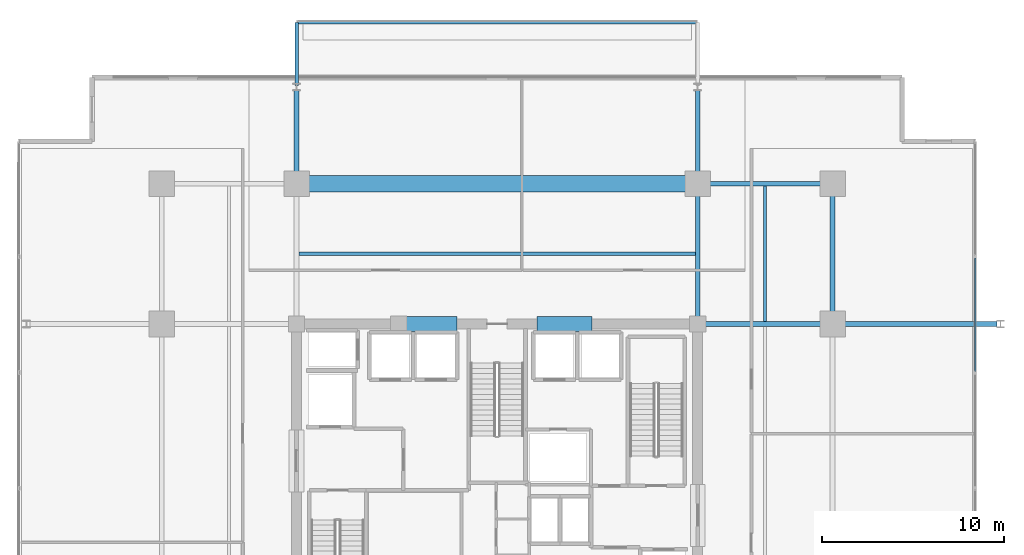
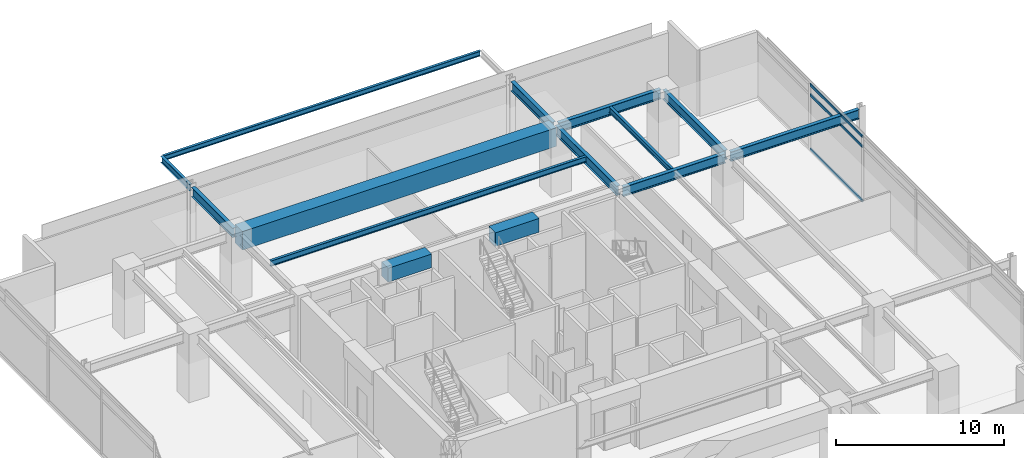
# One storey, part 11 of 21: 14 beams, 3 members, 1 element without a shape of its own.
"""IFC4 building model written with IfcOpenShell, lengths in metres."""

from ifc_helpers import new_model, si_unit, direction, frame, origin, origin_2d, place, context, subcontext, project, spatial, rectangle, hollow_rectangle, i_section, extrude, material, material_profile, profile_set, type_object, element, aggregate, save


model = new_model("IFC4")

# Units and contexts
model_context = context("Model", 3, precision=1e-05, world=origin(), true_north=direction((0.0, 1.0)))
body_context = subcontext(model_context, "Body", "Model", "MODEL_VIEW")
ifc_project = project(units=[si_unit("LENGTHUNIT", "METRE"), si_unit("AREAUNIT", "SQUARE_METRE"), si_unit("VOLUMEUNIT", "CUBIC_METRE"), si_unit("PLANEANGLEUNIT", "RADIAN"), si_unit("MASSUNIT", "GRAM", prefix="KILO")], contexts=[model_context])

# Site, building, storey
site_placement = place(None, origin())
site = spatial("IfcSite", under=ifc_project, at=site_placement, CompositionType="ELEMENT")
building_placement = place(site_placement, origin())
building = spatial("IfcBuilding", under=site, at=building_placement, Name="Kovane Verandah Tower", CompositionType="ELEMENT")
storey_placement = place(building_placement, frame((0.0, 0.0, 238.199951171875)))
storey = spatial("IfcBuildingStorey", under=building, at=storey_placement, Name="L55", CompositionType="ELEMENT", Elevation=238.199951171875)

# Beams
ifc_material_1 = material(Name="Concrete C60/75", Category="concrete")
ifc_material_profile_1 = material_profile(ifc_material_1, rectangle(XDim=0.800048828125, YDim=1.0, at=origin_2d()), Name="RCB800x1000")
ifc_profile_set_1 = profile_set([ifc_material_profile_1], Name="Concrete C60/75")
beam_type_1 = type_object("IfcBeamType", Name="BM-LINTEL-800x1000", PredefinedType="LINTEL", material=ifc_profile_set_1)
for number, where, z_axis, x_axis, name in (
    (1, (34.800048828125, 36.5, 4.28515625), (1.0, 0.0, 0.0), (0.0, 1.0, 0.0), "L55 Core Coupling Lintel CL-N1"),
    (2, (42.199951171875, 36.5, 4.28515625), (1.0, 0.0, 0.0), (0.0, 1.0, 0.0), "L55 Core Coupling Lintel CL-N2"),
):
    element("IfcBeam", number, at=place(storey_placement, frame(where, z_axis=z_axis, x_axis=x_axis)), inside=storey, type_object=beam_type_1, Name=name, PredefinedType="LINTEL", context=body_context, shape_type="SweptSolid", body=[
        extrude(rectangle(XDim=0.800048828125, YDim=1.0, at=origin_2d()), origin(), (0.0, 0.0, 1.0), 3.0),
    ])
ifc_material_2 = material(Name="Concrete C80/95", Category="concrete")
ifc_material_profile_2 = material_profile(ifc_material_2, rectangle(XDim=0.89990234375, YDim=1.35009765625, at=origin_2d()), Name="RCB900x1350")
ifc_profile_set_2 = profile_set([ifc_material_profile_2], Name="Concrete C80/95")
beam_type_2 = type_object("IfcBeamType", Name="BM-TR-900x1350", PredefinedType="BEAM", material=ifc_profile_set_2)
beam_1_placement = place(storey_placement, frame((29.179931640625, 44.199951171875, 4.110107421875), z_axis=(1.0, 0.0, 0.0), x_axis=(0.0, 1.0, 0.0)))
element("IfcBeam", 3, at=beam_1_placement, inside=storey, type_object=beam_type_2, Name="L55 Primary Tower Girder G-RN2", PredefinedType="BEAM", context=body_context, shape_type="SweptSolid", body=[
    extrude(rectangle(XDim=0.89990234375, YDim=1.35009765625, at=origin_2d()), origin(), (0.0, 0.0, 1.0), 21.64013671875),
])
ifc_material_3 = material(Name="Steel S355", Category="steel")
ifc_material_profile_3 = material_profile(ifc_material_3, i_section(OverallWidth=0.255859375, OverallDepth=0.69287109375, WebThickness=0.014404296875, FlangeThickness=0.023681640625, FilletRadius=0.01513671875, at=origin_2d()), Name="UB686x254x170")
ifc_profile_set_3 = profile_set([ifc_material_profile_3], Name="Steel S355")
beam_type_3 = type_object("IfcBeamType", Name="BM-UB686x170", PredefinedType="BEAM", material=ifc_profile_set_3)
beam_2_placement = place(storey_placement, frame((51.179931640625, 44.199951171875, 4.438720703125), z_axis=(1.0, 0.0, 0.0), x_axis=(0.0, 1.0, 0.0)))
element("IfcBeam", 4, at=beam_2_placement, inside=storey, type_object=beam_type_3, Name="L55 Primary Tower Girder G-RN3", PredefinedType="BEAM", context=body_context, shape_type="SweptSolid", body=[
    extrude(i_section(OverallWidth=0.255859375, OverallDepth=0.69287109375, WebThickness=0.014404296875, FlangeThickness=0.023681640625, FilletRadius=0.01513671875, at=origin_2d()), origin(), (0.0, 0.0, 1.0), 7.0400390625),
])
beam_3_placement = place(storey_placement, frame((58.39990234375, 36.679931640625, 4.438720703125), z_axis=(0.0, 1.0, 0.0), x_axis=(-1.0, 0.0, 0.0)))
element("IfcBeam", 5, at=beam_3_placement, inside=storey, type_object=beam_type_3, Name="L55 Primary Tower Girder G-RE3", PredefinedType="BEAM", context=body_context, shape_type="SweptSolid", body=[
    extrude(i_section(OverallWidth=0.255859375, OverallDepth=0.69287109375, WebThickness=0.014404296875, FlangeThickness=0.023681640625, FilletRadius=0.01513671875, at=origin_2d()), origin(), (0.0, 0.0, 1.0), 7.340087890625),
])
beam_4_placement = place(storey_placement, frame((51.179931640625, 36.5, 4.438720703125), z_axis=(1.0, 0.0, 0.0), x_axis=(0.0, 1.0, 0.0)))
element("IfcBeam", 6, at=beam_4_placement, inside=storey, type_object=beam_type_3, Name="L55 Primary Tower Girder G-E2", PredefinedType="BEAM", context=body_context, shape_type="SweptSolid", body=[
    extrude(i_section(OverallWidth=0.255859375, OverallDepth=0.69287109375, WebThickness=0.014404296875, FlangeThickness=0.023681640625, FilletRadius=0.01513671875, at=origin_2d()), origin(), (0.0, 0.0, 1.0), 7.0400390625),
])
beam_5_placement = place(storey_placement, frame((51.0, 36.679931640625, 4.438720703125), z_axis=(0.0, 1.0, 0.0), x_axis=(-1.0, 0.0, 0.0)))
element("IfcBeam", 7, at=beam_5_placement, inside=storey, type_object=beam_type_3, Name="L55 Primary Tower Girder G-N2", PredefinedType="BEAM", context=body_context, shape_type="SweptSolid", body=[
    extrude(i_section(OverallWidth=0.255859375, OverallDepth=0.69287109375, WebThickness=0.014404296875, FlangeThickness=0.023681640625, FilletRadius=0.01513671875, at=origin_2d()), origin(), (0.0, 0.0, 1.0), 7.340087890625),
])
beam_6_placement = place(storey_placement, frame((58.580078125, 36.5, 4.41357421875), z_axis=(1.0, 0.0, 0.0), x_axis=(0.0, 1.0, 0.0)))
element("IfcBeam", 8, at=beam_6_placement, inside=storey, type_object=beam_type_3, Name="L55 Primary Tower Girder G-VE2", PredefinedType="BEAM", context=body_context, shape_type="SweptSolid", body=[
    extrude(i_section(OverallWidth=0.255859375, OverallDepth=0.69287109375, WebThickness=0.014404296875, FlangeThickness=0.023681640625, FilletRadius=0.01513671875, at=origin_2d()), origin(), (0.0, 0.0, 1.0), 8.83984375),
])
for number, where, z_axis, x_axis, name in (
    (9, (29.0, 44.3798828125, 4.41357421875), (0.0, 1.0, 0.0), (-1.0, 0.0, 0.0), "L55 Primary Tower Girder G-VN1"),
    (10, (51.0, 44.3798828125, 4.41357421875), (0.0, 1.0, 0.0), (-1.0, 0.0, 0.0), "L55 Primary Tower Girder G-VN2"),
):
    element("IfcBeam", number, at=place(storey_placement, frame(where, z_axis=z_axis, x_axis=x_axis)), inside=storey, type_object=beam_type_3, Name=name, PredefinedType="BEAM", context=body_context, shape_type="SweptSolid", body=[
        extrude(i_section(OverallWidth=0.255859375, OverallDepth=0.69287109375, WebThickness=0.014404296875, FlangeThickness=0.023681640625, FilletRadius=0.01513671875, at=origin_2d()), origin(), (0.0, 0.0, 1.0), 4.940185546875),
    ])

# Curtain wall, members
ifc_material_4 = material(Name="Champagne Anodised Aluminium Frame with Low-E Clear Laminated Glass", Category="aluminium")
curtain_wall_type = type_object("IfcCurtainWallType", Name="CW-SYS-03-MID", PredefinedType="NOTDEFINED", material=ifc_material_4)
curtain_wall_placement = place(storey_placement, origin())
curtain_wall = element("IfcCurtainWall", 11, at=curtain_wall_placement, inside=storey, type_object=curtain_wall_type, Name="L55 E Unitised Curtain Wall", PredefinedType="NOTDEFINED")
ifc_material_5 = material(Name="Champagne Anodised Aluminium 6063-T6", Category="aluminium")
ifc_material_profile_4 = material_profile(ifc_material_5, hollow_rectangle(XDim=0.0849609375, YDim=0.18994140625, WallThickness=0.00390625, at=origin_2d()), Name="AL85x190x4")
ifc_profile_set_4 = profile_set([ifc_material_profile_4], Name="Champagne Anodised Aluminium 6063-T6")
member_type = type_object("IfcMemberType", Name="CW-TRN-85x190", PredefinedType="USERDEFINED", material=ifc_profile_set_4)
member_1_placement = place(storey_placement, frame((66.220703125, 33.89111328125, 0.050048828125), z_axis=(0.0, 1.0, 0.0), x_axis=(-1.0, 0.0, 0.0)))
member_1 = element("IfcMember", 12, at=member_1_placement, type_object=member_type, Name="L55 E Unitised Curtain Wall Transom TB Bay 5", ObjectType="TRANSOM", PredefinedType="USERDEFINED", context=body_context, shape_type="SweptSolid", body=[
    extrude(hollow_rectangle(XDim=0.0849609375, YDim=0.18994140625, WallThickness=0.00390625, at=origin_2d()), origin(), (0.0, 0.0, 1.0), 6.2412109375),
])
member_2_placement = place(storey_placement, frame((66.220703125, 33.89111328125, 4.005126953125), z_axis=(0.0, 1.0, 0.0), x_axis=(-1.0, 0.0, 0.0)))
member_2 = element("IfcMember", 13, at=member_2_placement, type_object=member_type, Name="L55 E Unitised Curtain Wall Transom TM Bay 5", ObjectType="TRANSOM", PredefinedType="USERDEFINED", context=body_context, shape_type="SweptSolid", body=[
    extrude(hollow_rectangle(XDim=0.0849609375, YDim=0.18994140625, WallThickness=0.00390625, at=origin_2d()), origin(), (0.0, 0.0, 1.0), 6.2412109375),
])
member_3_placement = place(storey_placement, frame((66.220703125, 33.89111328125, 4.735107421875), z_axis=(0.0, 1.0, 0.0), x_axis=(-1.0, 0.0, 0.0)))
member_3 = element("IfcMember", 14, at=member_3_placement, type_object=member_type, Name="L55 E Unitised Curtain Wall Transom TT Bay 5", ObjectType="TRANSOM", PredefinedType="USERDEFINED", context=body_context, shape_type="SweptSolid", body=[
    extrude(hollow_rectangle(XDim=0.0849609375, YDim=0.18994140625, WallThickness=0.00390625, at=origin_2d()), origin(), (0.0, 0.0, 1.0), 6.2412109375),
])
aggregate(curtain_wall, [member_1, member_2, member_3])

# Beams
ifc_material_profile_5 = material_profile(ifc_material_3, i_section(OverallWidth=0.179443359375, OverallDepth=0.412841796875, WebThickness=0.009521484375, FlangeThickness=0.01611328125, FilletRadius=0.01025390625, at=origin_2d()), Name="UB406x178x74")
ifc_profile_set_5 = profile_set([ifc_material_profile_5], Name="Steel S355")
beam_type_4 = type_object("IfcBeamType", Name="JST-UB406x74", PredefinedType="JOIST", material=ifc_profile_set_5)
beam_7_placement = place(storey_placement, frame((29.1259765625, 40.35009765625, 4.57861328125), z_axis=(1.0, 0.0, 0.0), x_axis=(0.0, 1.0, 0.0)))
element("IfcBeam", 15, at=beam_7_placement, inside=storey, type_object=beam_type_4, Name="L55 Secondary Composite Joist J-N1", PredefinedType="JOIST", context=body_context, shape_type="SweptSolid", body=[
    extrude(i_section(OverallWidth=0.179443359375, OverallDepth=0.412841796875, WebThickness=0.009521484375, FlangeThickness=0.01611328125, FilletRadius=0.01025390625, at=origin_2d()), origin(), (0.0, 0.0, 1.0), 21.748046875),
])
beam_8_placement = place(storey_placement, frame((54.699951171875, 36.6259765625, 4.57861328125), z_axis=(0.0, 1.0, 0.0), x_axis=(-1.0, 0.0, 0.0)))
element("IfcBeam", 16, at=beam_8_placement, inside=storey, type_object=beam_type_4, Name="L55 Secondary Composite Joist J-NE1", PredefinedType="JOIST", context=body_context, shape_type="SweptSolid", body=[
    extrude(i_section(OverallWidth=0.179443359375, OverallDepth=0.412841796875, WebThickness=0.009521484375, FlangeThickness=0.01611328125, FilletRadius=0.01025390625, at=origin_2d()), origin(), (0.0, 0.0, 1.0), 7.4482421875),
])
ifc_material_profile_6 = material_profile(ifc_material_3, i_section(OverallWidth=0.19287109375, OverallDepth=0.46728515625, WebThickness=0.011474609375, FlangeThickness=0.01953125, FilletRadius=0.01025390625, at=origin_2d()), Name="UB457x191x98")
ifc_profile_set_6 = profile_set([ifc_material_profile_6], Name="Steel S355")
beam_type_5 = type_object("IfcBeamType", Name="JST-UB457x98", PredefinedType="JOIST", material=ifc_profile_set_6)
beam_9_placement = place(storey_placement, frame((29.0, 49.580078125, 4.5263671875), z_axis=(0.0, 1.0, 0.0), x_axis=(-1.0, 0.0, 0.0)))
element("IfcBeam", 17, at=beam_9_placement, inside=storey, type_object=beam_type_5, Name="L55 North Planter Girder 1", PredefinedType="JOIST", context=body_context, shape_type="SweptSolid", body=[
    extrude(i_section(OverallWidth=0.19287109375, OverallDepth=0.46728515625, WebThickness=0.011474609375, FlangeThickness=0.01953125, FilletRadius=0.01025390625, at=origin_2d()), origin(), (0.0, 0.0, 1.0), 3.449951171875),
])
ifc_material_profile_7 = material_profile(ifc_material_3, i_section(OverallWidth=0.173095703125, OverallDepth=0.36328125, WebThickness=0.009033203125, FlangeThickness=0.015625, FilletRadius=0.01025390625, at=origin_2d()), Name="UB356x171x67")
ifc_profile_set_7 = profile_set([ifc_material_profile_7], Name="Steel S355")
beam_type_6 = type_object("IfcBeamType", Name="SPD-UB356x67", PredefinedType="USERDEFINED", material=ifc_profile_set_7)
beam_10_placement = place(storey_placement, frame((29.094482421875, 53.030029296875, 4.578369140625), z_axis=(1.0, 0.0, 0.0), x_axis=(0.0, 1.0, 0.0)))
element("IfcBeam", 18, at=beam_10_placement, inside=storey, type_object=beam_type_6, Name="L55 North Planter Edge Spandrel", ObjectType="SPANDREL", PredefinedType="USERDEFINED", context=body_context, shape_type="SweptSolid", body=[
    extrude(i_section(OverallWidth=0.173095703125, OverallDepth=0.36328125, WebThickness=0.009033203125, FlangeThickness=0.015625, FilletRadius=0.01025390625, at=origin_2d()), origin(), (0.0, 0.0, 1.0), 21.81103515625),
])

save(model, "model.ifc")
